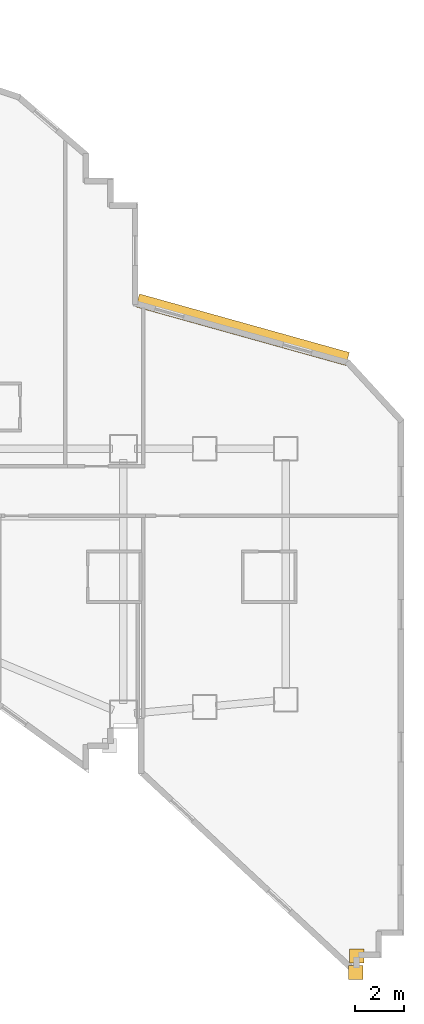
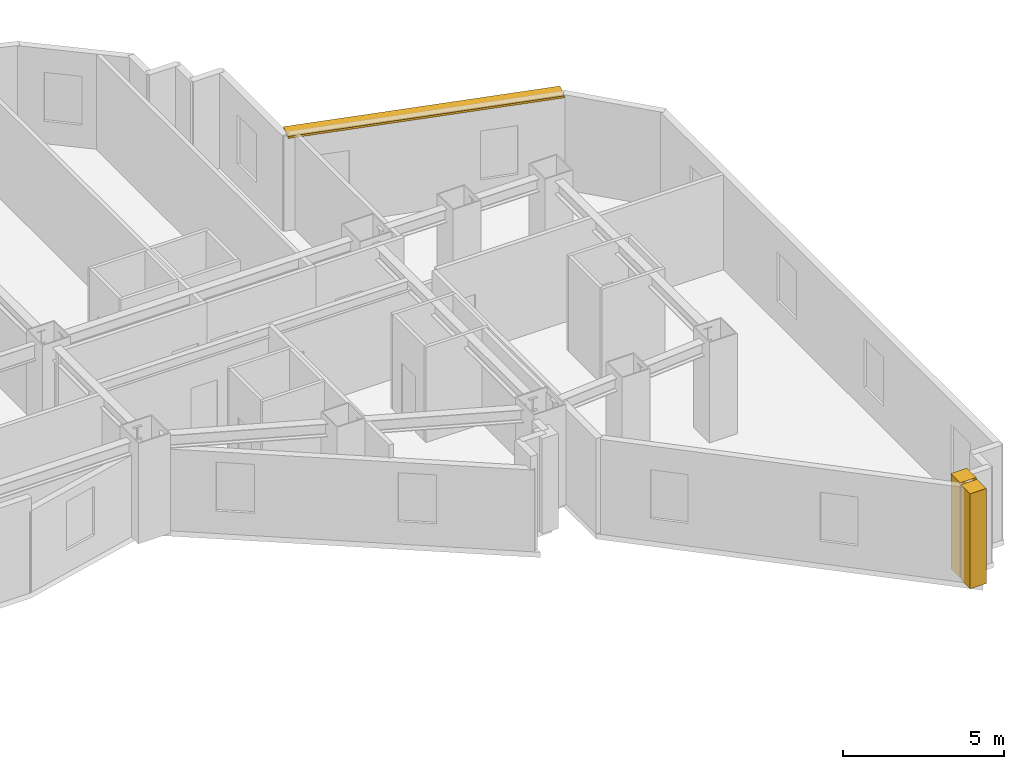
# One storey, part 15 of 15: 2 coverings, 1 shading device.
"""IFC4 building model written with IfcOpenShell, lengths in metres."""

from ifc_helpers import new_model, si_unit, direction, frame, origin, origin_2d, place, context, subcontext, project, spatial, rectangle, extrude, material, layer, layer_set, type_object, element, save


model = new_model("IFC4")

# Units and contexts
model_context = context("Model", 3, precision=1e-05, world=origin(), true_north=direction((0.0, 1.0)))
body_context = subcontext(model_context, "Body", "Model", "MODEL_VIEW")
ifc_project = project(units=[si_unit("LENGTHUNIT", "METRE"), si_unit("AREAUNIT", "SQUARE_METRE"), si_unit("VOLUMEUNIT", "CUBIC_METRE"), si_unit("PLANEANGLEUNIT", "RADIAN"), si_unit("MASSUNIT", "GRAM", prefix="KILO")], contexts=[model_context])

# Site, building, storey
site_placement = place(None, origin())
site = spatial("IfcSite", under=ifc_project, at=site_placement, CompositionType="ELEMENT")
building_placement = place(site_placement, origin())
building = spatial("IfcBuilding", under=site, at=building_placement, Name="Haolan Belvedere Tower", CompositionType="ELEMENT")
storey_placement = place(building_placement, frame((0.0, 0.0, 70.39990234375)))
storey = spatial("IfcBuildingStorey", under=building, at=storey_placement, Name="L17", CompositionType="ELEMENT", Elevation=70.39990234375)

# Coverings
ifc_material_1 = material(Name="Pale champagne-silver anodised aluminium rainscreen cladding", Category="aluminium")
ifc_layer_1 = layer(ifc_material_1, 0.034912109375, Name="Pale champagne-silver anodised aluminium rainscreen cladding")
ifc_layer_set_1 = layer_set([ifc_layer_1], Name="Pale champagne-silver anodised aluminium rainscreen cladding")
covering_type = type_object("IfcCoveringType", Name="COV-CLAD-35", PredefinedType="CLADDING", material=ifc_layer_set_1)
for number, where, z_axis, x_axis, name in (
    (1, (73.64892578125, 6.30517578125, 0.0), (0.0, 0.0, 1.0), (1.0, 0.0, 0.0), "L17 pale-metal serrated corner cladding trim 5"),
    (2, (73.679931640625, 6.9775390625, 0.0), (0.0, 0.0, 1.0), (1.0, 0.0, 0.0), "L17 pale-metal serrated corner cladding trim 6"),
):
    element("IfcCovering", number, at=place(storey_placement, frame(where, z_axis=z_axis, x_axis=x_axis)), inside=storey, type_object=covering_type, Name=name, PredefinedType="CLADDING", context=body_context, shape_type="SweptSolid", body=[
        extrude(rectangle(XDim=0.580078125, YDim=0.580078125, at=origin_2d()), origin(), (0.0, 0.0, 1.0), 3.60009765625),
    ])

# Shading device
ifc_material_2 = material(Name="Anodised champagne-silver aluminium 6063-T6", Category="aluminium")
ifc_layer_2 = layer(ifc_material_2, 0.080078125, Name="Anodised champagne-silver aluminium 6063-T6")
ifc_layer_set_2 = layer_set([ifc_layer_2], Name="Anodised champagne-silver aluminium 6063-T6")
shading_device_type = type_object("IfcShadingDeviceType", Name="SHD-SUN-550", PredefinedType="USERDEFINED", material=ifc_layer_set_2)
shading_device_placement = place(storey_placement, frame((69.044921875, 32.43603515625, 3.5), z_axis=(0.0, 0.0, 1.0), x_axis=(-0.963195414363, 0.268802146102, 0.0)))
element("IfcShadingDevice", 3, at=shading_device_placement, inside=storey, type_object=shading_device_type, Name="L17 pale-metal horizontal SUNSHADE band 28.1", ObjectType="SUNSHADE", PredefinedType="USERDEFINED", context=body_context, shape_type="SweptSolid", body=[
    extrude(rectangle(XDim=8.85546875, YDim=0.550048828125, at=origin_2d()), origin(), (0.0, 0.0, 1.0), 0.080078125),
])

save(model, "model.ifc")
